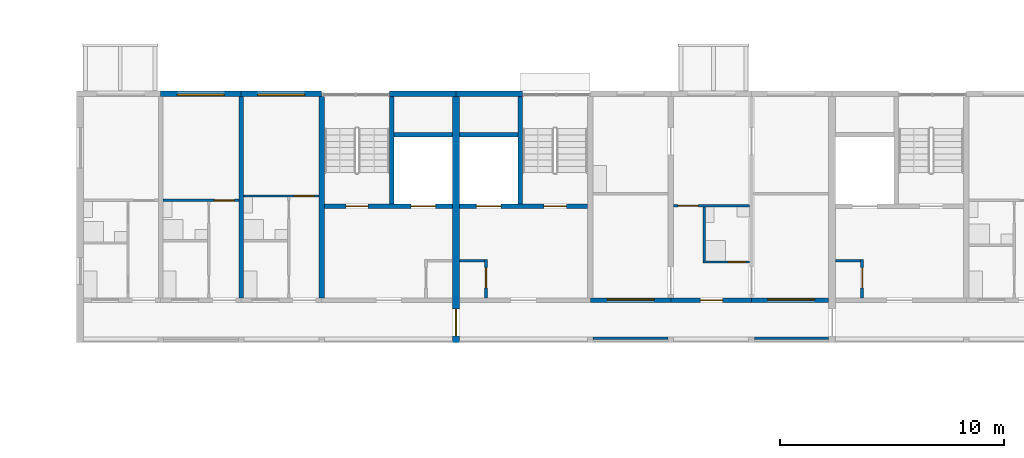
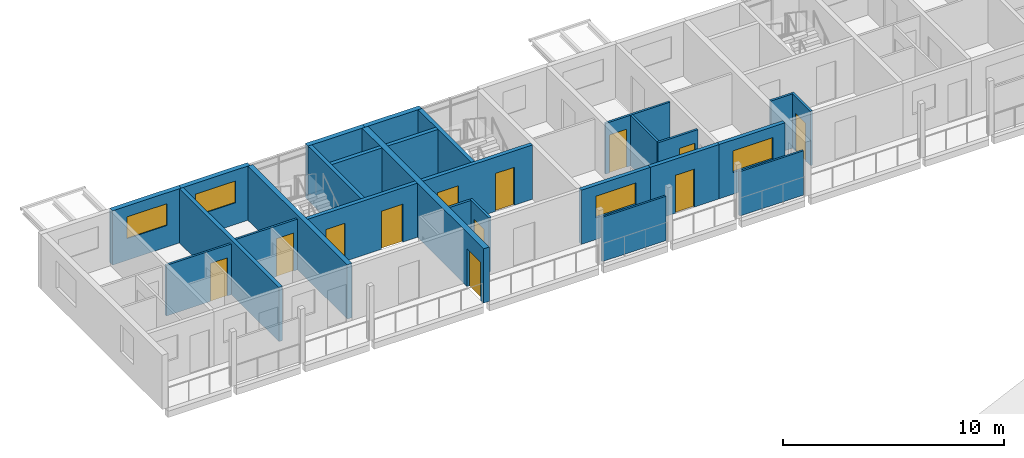
# One storey, part 61 of 122: 27 walls, 12 doors, 4 windows, 16 openings.
"""IFC4 building model written with IfcOpenShell, lengths in metres."""

from ifc_helpers import new_model, si_unit, direction, frame, frame_2d, origin, place, context, subcontext, project, spatial, rectangle, extrude, material, layer, layer_set, type_object, element, fill, save


model = new_model("IFC4")

# Units and contexts
model_context = context("Model", 3, precision=1e-05, world=origin(), true_north=direction((0.0, 1.0)))
body_context = subcontext(model_context, "Body", "Model", "MODEL_VIEW")
ifc_project = project(units=[si_unit("LENGTHUNIT", "METRE"), si_unit("AREAUNIT", "SQUARE_METRE"), si_unit("VOLUMEUNIT", "CUBIC_METRE"), si_unit("PLANEANGLEUNIT", "RADIAN"), si_unit("MASSUNIT", "GRAM", prefix="KILO")], contexts=[model_context])

# Site, building, storey
site_placement = place(None, origin())
site = spatial("IfcSite", under=ifc_project, at=site_placement, CompositionType="ELEMENT")
building_placement = place(site_placement, origin())
building = spatial("IfcBuilding", under=site, at=building_placement, Name="Ridgestep Commons", CompositionType="ELEMENT")
storey_placement = place(building_placement, frame((0.0, 0.0, 3.0)))
storey = spatial("IfcBuildingStorey", under=building, at=storey_placement, Name="L01", CompositionType="ELEMENT", Elevation=3.0)

# Wall
ifc_material_1 = material(Name="Concrete C30/37", Category="concrete")
ifc_layer_1 = layer(ifc_material_1, 0.25)
ifc_layer_set_1 = layer_set([ifc_layer_1], Name="Core cross wall 250")
wall_type_1 = type_object("IfcWallType", Name="Core cross wall 250", PredefinedType="SHEAR", material=ifc_layer_set_1)
wall_1_placement = place(storey_placement, frame((22.800048828125, 68.0, 0.0), z_axis=(0.0, 0.0, 1.0), x_axis=(0.0, 1.0, 0.0)))
element("IfcWall", 1, at=wall_1_placement, inside=storey, type_object=wall_type_1, Name="Cross wall B-01-0228", PredefinedType="SHEAR", context=body_context, shape_type="SweptSolid", body=[
    extrude(rectangle(XDim=9.0, YDim=0.25, at=frame_2d((4.5, 0.0))), origin(), (0.0, 0.0, 1.0), 3.0),
])

# Wall, opening, door
ifc_material_2 = material(Name="Concrete C30/37", Category="concrete")
ifc_layer_2 = layer(ifc_material_2, 0.1201171875)
ifc_layer_set_2 = layer_set([ifc_layer_2], Name="Core wall 120")
wall_type_2 = type_object("IfcWallType", Name="Core wall 120", PredefinedType="SHEAR", material=ifc_layer_set_2)
wall_2_placement = place(storey_placement, frame((30.139892578125, 68.0, 0.0), z_axis=(0.0, 0.0, 1.0), x_axis=(0.0, 1.0, 0.0)))
wall_2 = element("IfcWall", 2, at=wall_2_placement, inside=storey, type_object=wall_type_2, Name="Core riser w wall B2C L01", PredefinedType="SHEAR", context=body_context, shape_type="SweptSolid", body=[
    extrude(rectangle(XDim=1.719970703125, YDim=0.1201171875, at=frame_2d((0.85986328125, 0.0))), origin(), (0.0, 0.0, 1.0), 3.0),
])
opening_1_placement = place(wall_2_placement, frame((0.449951171875, 0.0, 0.0)))
opening_1 = element("IfcOpeningElement", 3, at=opening_1_placement, cuts=wall_2, Name="Opening B2C/01/4", PredefinedType="OPENING", context=body_context, shape_type="SweptSolid", body=[
    extrude(rectangle(XDim=0.89990234375, YDim=2.10009765625, at=frame_2d((0.449951171875, 1.050048828125))), frame((0.0, 0.070068359375, 0.0), z_axis=(0.0, -1.0, 0.0), x_axis=(1.0, 0.0, 0.0)), (0.0, 0.0, 1.0), 0.14013671875),
])
ifc_material_3 = material(Name="Steel fire door", Category="steel")
door_type_1 = type_object("IfcDoorType", Name="Riser door 900 x 2100 FD60", OperationType="NOTDEFINED", PredefinedType="DOOR", material=ifc_material_3)
door_1_placement = place(opening_1_placement, origin())
door_1 = element("IfcDoor", 4, at=door_1_placement, inside=storey, type_object=door_type_1, Name="Riser door B2C/01/4", OperationType="SINGLE_SWING_RIGHT", OverallHeight=2.10009765625, OverallWidth=0.89990234375, PredefinedType="DOOR", context=body_context, shape_type="SweptSolid", body=[
    extrude(rectangle(XDim=0.89990234375, YDim=2.10009765625, at=frame_2d((0.449951171875, 1.050048828125))), frame((0.0, 0.02490234375, 0.0), z_axis=(0.0, -1.0, 0.0), x_axis=(1.0, 0.0, 0.0)), (0.0, 0.0, 1.0), 0.050048828125),
])
fill(opening_1, door_1)

# Wall
wall_3_placement = place(storey_placement, frame((28.949951171875, 69.659912109375, 0.0), z_axis=(0.0, 0.0, 1.0), x_axis=(1.0, 0.0, 0.0)))
element("IfcWall", 5, at=wall_3_placement, inside=storey, type_object=wall_type_2, Name="Core riser n wall B2C L01", PredefinedType="SHEAR", context=body_context, shape_type="SweptSolid", body=[
    extrude(rectangle(XDim=1.130126953125, YDim=0.1201171875, at=frame_2d((0.56494140625, 0.0))), origin(), (0.0, 0.0, 1.0), 3.0),
])

# Wall, opening, door
wall_4_placement = place(storey_placement, frame((46.93994140625, 68.0, 0.0), z_axis=(0.0, 0.0, 1.0), x_axis=(0.0, 1.0, 0.0)))
wall_4 = element("IfcWall", 6, at=wall_4_placement, inside=storey, type_object=wall_type_2, Name="Core riser w wall B3C L01", PredefinedType="SHEAR", context=body_context, shape_type="SweptSolid", body=[
    extrude(rectangle(XDim=1.719970703125, YDim=0.1201171875, at=frame_2d((0.85986328125, 0.0))), origin(), (0.0, 0.0, 1.0), 3.0),
])
opening_2_placement = place(wall_4_placement, frame((0.449951171875, 0.0, 0.0)))
opening_2 = element("IfcOpeningElement", 7, at=opening_2_placement, cuts=wall_4, Name="Opening B3C/01/4", PredefinedType="OPENING", context=body_context, shape_type="SweptSolid", body=[
    extrude(rectangle(XDim=0.89990234375, YDim=2.10009765625, at=frame_2d((0.449951171875, 1.050048828125))), frame((0.0, 0.070068359375, 0.0), z_axis=(0.0, -1.0, 0.0), x_axis=(1.0, 0.0, 0.0)), (0.0, 0.0, 1.0), 0.14013671875),
])
door_2_placement = place(opening_2_placement, origin())
door_2 = element("IfcDoor", 8, at=door_2_placement, inside=storey, type_object=door_type_1, Name="Riser door B3C/01/4", OperationType="SINGLE_SWING_RIGHT", OverallHeight=2.10009765625, OverallWidth=0.89990234375, PredefinedType="DOOR", context=body_context, shape_type="SweptSolid", body=[
    extrude(rectangle(XDim=0.89990234375, YDim=2.10009765625, at=frame_2d((0.449951171875, 1.050048828125))), frame((0.0, 0.02490234375, 0.0), z_axis=(0.0, -1.0, 0.0), x_axis=(1.0, 0.0, 0.0)), (0.0, 0.0, 1.0), 0.050048828125),
])
fill(opening_2, door_2)

# Wall
wall_5_placement = place(storey_placement, frame((45.75, 69.659912109375, 0.0), z_axis=(0.0, 0.0, 1.0), x_axis=(1.0, 0.0, 0.0)))
element("IfcWall", 9, at=wall_5_placement, inside=storey, type_object=wall_type_2, Name="Core riser n wall B3C L01", PredefinedType="SHEAR", context=body_context, shape_type="SweptSolid", body=[
    extrude(rectangle(XDim=1.1298828125, YDim=0.1201171875, at=frame_2d((0.56494140625, 0.0))), origin(), (0.0, 0.0, 1.0), 3.0),
])

# Wall, openings, doors
ifc_material_4 = material(Name="Concrete C30/37", Category="concrete")
ifc_layer_3 = layer(ifc_material_4, 0.199951171875)
ifc_layer_set_3 = layer_set([ifc_layer_3], Name="Core wall 200")
wall_type_3 = type_object("IfcWallType", Name="Core wall 200", PredefinedType="SHEAR", material=ifc_layer_set_3)
wall_6_placement = place(storey_placement, frame((22.925048828125, 72.10009765625, 0.0), z_axis=(0.0, 0.0, 1.0), x_axis=(1.0, 0.0, 0.0)))
wall_6 = element("IfcWall", 10, at=wall_6_placement, inside=storey, type_object=wall_type_3, Name="Core lobby wall B1C L01", PredefinedType="SHEAR", context=body_context, shape_type="SweptSolid", body=[
    extrude(rectangle(XDim=5.724853515625, YDim=0.199951171875, at=frame_2d((2.8623046875, 0.0))), origin(), (0.0, 0.0, 1.0), 3.0),
])
opening_3_placement = place(wall_6_placement, frame((0.949951171875, 0.0, 0.0)))
opening_3 = element("IfcOpeningElement", 11, at=opening_3_placement, cuts=wall_6, Name="Opening B1C/01/2", PredefinedType="OPENING", context=body_context, shape_type="SweptSolid", body=[
    extrude(rectangle(XDim=1.0, YDim=2.10009765625, at=frame_2d((0.5, 1.050048828125))), frame((0.0, 0.10986328125, 0.0), z_axis=(0.0, -1.0, 0.0), x_axis=(1.0, 0.0, 0.0)), (0.0, 0.0, 1.0), 0.219970703125),
])
opening_4_placement = place(wall_6_placement, frame((3.862548828125, 0.0, 0.0)))
opening_4 = element("IfcOpeningElement", 12, at=opening_4_placement, cuts=wall_6, Name="Opening B1C/01/3", PredefinedType="OPENING", context=body_context, shape_type="SweptSolid", body=[
    extrude(rectangle(XDim=1.10009765625, YDim=2.10009765625, at=frame_2d((0.550048828125, 1.050048828125))), frame((0.0, 0.10986328125, 0.0), z_axis=(0.0, -1.0, 0.0), x_axis=(1.0, 0.0, 0.0)), (0.0, 0.0, 1.0), 0.219970703125),
])
ifc_material_5 = material(Name="Stainless steel", Category="steel")
door_type_2 = type_object("IfcDoorType", Name="Lift landing door 1100 x 2100 FD60", OperationType="DOUBLE_DOOR_SLIDING", PredefinedType="DOOR", material=ifc_material_5)
door_3_placement = place(opening_4_placement, origin())
door_3 = element("IfcDoor", 13, at=door_3_placement, inside=storey, type_object=door_type_2, Name="Landing door LD B1C L01", OperationType="DOUBLE_DOOR_SLIDING", OverallHeight=2.10009765625, OverallWidth=1.10009765625, PredefinedType="DOOR", context=body_context, shape_type="SweptSolid", body=[
    extrude(rectangle(XDim=1.10009765625, YDim=2.10009765625, at=frame_2d((0.550048828125, 1.050048828125))), frame((0.0, 0.02490234375, 0.0), z_axis=(0.0, -1.0, 0.0), x_axis=(1.0, 0.0, 0.0)), (0.0, 0.0, 1.0), 0.050048828125),
])
fill(opening_4, door_3)
ifc_material_6 = material(Name="Steel fire door", Category="steel")
door_type_3 = type_object("IfcDoorType", Name="Stair door 1000 x 2100 FD60", OperationType="NOTDEFINED", PredefinedType="DOOR", material=ifc_material_6)
door_4_placement = place(opening_3_placement, origin())
door_4 = element("IfcDoor", 14, at=door_4_placement, inside=storey, type_object=door_type_3, Name="Stair door B1C/01/2", OperationType="SINGLE_SWING_RIGHT", OverallHeight=2.10009765625, OverallWidth=1.0, PredefinedType="DOOR", context=body_context, shape_type="SweptSolid", body=[
    extrude(rectangle(XDim=1.0, YDim=2.10009765625, at=frame_2d((0.5, 1.050048828125))), frame((0.0, 0.02490234375, 0.0), z_axis=(0.0, -1.0, 0.0), x_axis=(1.0, 0.0, 0.0)), (0.0, 0.0, 1.0), 0.050048828125),
])
fill(opening_3, door_4)

# Walls
wall_7_placement = place(storey_placement, frame((25.925048828125, 72.199951171875, 0.0), z_axis=(0.0, 0.0, 1.0), x_axis=(0.0, 1.0, 0.0)))
element("IfcWall", 15, at=wall_7_placement, inside=storey, type_object=wall_type_3, Name="Core stair wall B1C L01", PredefinedType="SHEAR", context=body_context, shape_type="SweptSolid", body=[
    extrude(rectangle(XDim=4.800048828125, YDim=0.199951171875, at=frame_2d((2.39990234375, 0.0))), origin(), (0.0, 0.0, 1.0), 3.0),
])
wall_8_placement = place(storey_placement, frame((26.02490234375, 75.300048828125, 0.0), z_axis=(0.0, 0.0, 1.0), x_axis=(1.0, 0.0, 0.0)))
element("IfcWall", 16, at=wall_8_placement, inside=storey, type_object=wall_type_3, Name="Core duct wall B1C L01", PredefinedType="SHEAR", context=body_context, shape_type="SweptSolid", body=[
    extrude(rectangle(XDim=2.625, YDim=0.199951171875, at=frame_2d((1.3125, 0.0))), origin(), (0.0, 0.0, 1.0), 3.0),
])

# Wall, openings, doors
wall_9_placement = place(storey_placement, frame((28.949951171875, 72.10009765625, 0.0), z_axis=(0.0, 0.0, 1.0), x_axis=(1.0, 0.0, 0.0)))
wall_9 = element("IfcWall", 17, at=wall_9_placement, inside=storey, type_object=wall_type_3, Name="Core lobby wall B2C L01", PredefinedType="SHEAR", context=body_context, shape_type="SweptSolid", body=[
    extrude(rectangle(XDim=5.72509765625, YDim=0.199951171875, at=frame_2d((2.862548828125, 0.0))), origin(), (0.0, 0.0, 1.0), 3.0),
])
opening_5_placement = place(wall_9_placement, frame((3.77490234375, 0.0, 0.0)))
opening_5 = element("IfcOpeningElement", 18, at=opening_5_placement, cuts=wall_9, Name="Opening B2C/01/2", PredefinedType="OPENING", context=body_context, shape_type="SweptSolid", body=[
    extrude(rectangle(XDim=1.0, YDim=2.10009765625, at=frame_2d((0.5, 1.050048828125))), frame((0.0, 0.10986328125, 0.0), z_axis=(0.0, -1.0, 0.0), x_axis=(1.0, 0.0, 0.0)), (0.0, 0.0, 1.0), 0.219970703125),
])
opening_6_placement = place(wall_9_placement, frame((0.762451171875, 0.0, 0.0)))
opening_6 = element("IfcOpeningElement", 19, at=opening_6_placement, cuts=wall_9, Name="Opening B2C/01/3", PredefinedType="OPENING", context=body_context, shape_type="SweptSolid", body=[
    extrude(rectangle(XDim=1.10009765625, YDim=2.10009765625, at=frame_2d((0.550048828125, 1.050048828125))), frame((0.0, 0.10986328125, 0.0), z_axis=(0.0, -1.0, 0.0), x_axis=(1.0, 0.0, 0.0)), (0.0, 0.0, 1.0), 0.219970703125),
])
door_5_placement = place(opening_6_placement, origin())
door_5 = element("IfcDoor", 20, at=door_5_placement, inside=storey, type_object=door_type_2, Name="Landing door LD B2C L01", OperationType="DOUBLE_DOOR_SLIDING", OverallHeight=2.10009765625, OverallWidth=1.10009765625, PredefinedType="DOOR", context=body_context, shape_type="SweptSolid", body=[
    extrude(rectangle(XDim=1.10009765625, YDim=2.10009765625, at=frame_2d((0.550048828125, 1.050048828125))), frame((0.0, 0.02490234375, 0.0), z_axis=(0.0, -1.0, 0.0), x_axis=(1.0, 0.0, 0.0)), (0.0, 0.0, 1.0), 0.050048828125),
])
fill(opening_6, door_5)
door_6_placement = place(opening_5_placement, origin())
door_6 = element("IfcDoor", 21, at=door_6_placement, inside=storey, type_object=door_type_3, Name="Stair door B2C/01/2", OperationType="SINGLE_SWING_RIGHT", OverallHeight=2.10009765625, OverallWidth=1.0, PredefinedType="DOOR", context=body_context, shape_type="SweptSolid", body=[
    extrude(rectangle(XDim=1.0, YDim=2.10009765625, at=frame_2d((0.5, 1.050048828125))), frame((0.0, 0.02490234375, 0.0), z_axis=(0.0, -1.0, 0.0), x_axis=(1.0, 0.0, 0.0)), (0.0, 0.0, 1.0), 0.050048828125),
])
fill(opening_5, door_6)

# Walls
wall_10_placement = place(storey_placement, frame((31.675048828125, 72.199951171875, 0.0), z_axis=(0.0, 0.0, 1.0), x_axis=(0.0, 1.0, 0.0)))
element("IfcWall", 22, at=wall_10_placement, inside=storey, type_object=wall_type_3, Name="Core stair wall B2C L01", PredefinedType="SHEAR", context=body_context, shape_type="SweptSolid", body=[
    extrude(rectangle(XDim=4.800048828125, YDim=0.199951171875, at=frame_2d((2.39990234375, 0.0))), origin(), (0.0, 0.0, 1.0), 3.0),
])
wall_11_placement = place(storey_placement, frame((28.949951171875, 75.300048828125, 0.0), z_axis=(0.0, 0.0, 1.0), x_axis=(1.0, 0.0, 0.0)))
element("IfcWall", 23, at=wall_11_placement, inside=storey, type_object=wall_type_3, Name="Core duct wall B2C L01", PredefinedType="SHEAR", context=body_context, shape_type="SweptSolid", body=[
    extrude(rectangle(XDim=2.625, YDim=0.199951171875, at=frame_2d((1.3125, 0.0))), origin(), (0.0, 0.0, 1.0), 3.0),
])
ifc_material_7 = material(Name="Precast concrete C40/50", Category="concrete")
ifc_layer_4 = layer(ifc_material_7, 0.199951171875)
ifc_layer_set_4 = layer_set([ifc_layer_4], Name="Cross wall 200")
wall_type_4 = type_object("IfcWallType", Name="Cross wall 200", PredefinedType="SHEAR", material=ifc_layer_set_4)
wall_12_placement = place(storey_placement, frame((19.199951171875, 68.0, 0.0), z_axis=(0.0, 0.0, 1.0), x_axis=(0.0, 1.0, 0.0)))
element("IfcWall", 24, at=wall_12_placement, inside=storey, type_object=wall_type_4, Name="Cross wall B-01-0192", PredefinedType="SHEAR", context=body_context, shape_type="SweptSolid", body=[
    extrude(rectangle(XDim=9.0, YDim=0.199951171875, at=frame_2d((4.5, 0.0))), origin(), (0.0, 0.0, 1.0), 3.0),
])

# Wall, opening, door
ifc_material_8 = material(Name="Precast concrete C40/50", Category="concrete")
ifc_layer_5 = layer(ifc_material_8, 0.300048828125)
ifc_layer_set_5 = layer_set([ifc_layer_5], Name="Division wall 300")
wall_type_5 = type_object("IfcWallType", Name="Division wall 300", PredefinedType="SHEAR", material=ifc_layer_set_5)
wall_13_placement = place(storey_placement, frame((28.800048828125, 66.0, 0.0), z_axis=(0.0, 0.0, 1.0), x_axis=(0.0, 1.0, 0.0)))
wall_13 = element("IfcWall", 25, at=wall_13_placement, inside=storey, type_object=wall_type_5, Name="Cross wall B-01-0288", PredefinedType="SHEAR", context=body_context, shape_type="SweptSolid", body=[
    extrude(rectangle(XDim=11.0, YDim=0.300048828125, at=frame_2d((5.5, 0.0))), origin(), (0.0, 0.0, 1.0), 3.0),
])
opening_7_placement = place(wall_13_placement, frame((0.300048828125, 0.0, 0.0)))
opening_7 = element("IfcOpeningElement", 26, at=opening_7_placement, cuts=wall_13, Name="Opening B/01/G0288", PredefinedType="OPENING", context=body_context, shape_type="SweptSolid", body=[
    extrude(rectangle(XDim=1.199951171875, YDim=2.10009765625, at=frame_2d((0.60009765625, 1.050048828125))), frame((0.0, 0.159912109375, 0.0), z_axis=(0.0, -1.0, 0.0), x_axis=(1.0, 0.0, 0.0)), (0.0, 0.0, 1.0), 0.320068359375),
])
ifc_material_9 = material(Name="Steel fire door", Category="steel")
door_type_4 = type_object("IfcDoorType", Name="Division fire door 1200 x 2100 EI 240", OperationType="DOUBLE_DOOR_SINGLE_SWING", PredefinedType="DOOR", material=ifc_material_9)
door_7_placement = place(opening_7_placement, origin())
door_7 = element("IfcDoor", 27, at=door_7_placement, inside=storey, type_object=door_type_4, Name="Division fire door B/01/G0288", OperationType="DOUBLE_DOOR_SINGLE_SWING", OverallHeight=2.10009765625, OverallWidth=1.199951171875, PredefinedType="DOOR", context=body_context, shape_type="SweptSolid", body=[
    extrude(rectangle(XDim=1.199951171875, YDim=2.10009765625, at=frame_2d((0.60009765625, 1.050048828125))), frame((0.0, 0.02490234375, 0.0), z_axis=(0.0, -1.0, 0.0), x_axis=(1.0, 0.0, 0.0)), (0.0, 0.0, 1.0), 0.050048828125),
])
fill(opening_7, door_7)

# Wall, opening, window
ifc_material_10 = material(Name="Precast concrete C40/50", Category="concrete")
ifc_layer_6 = layer(ifc_material_10, 0.25)
ifc_layer_set_6 = layer_set([ifc_layer_6], Name="North facade panel 250")
wall_type_6 = type_object("IfcWallType", Name="North facade panel 250", PredefinedType="SOLIDWALL", material=ifc_layer_set_6)
wall_14_placement = place(storey_placement, frame((15.60009765625, 77.125, 0.0), z_axis=(0.0, 0.0, 1.0), x_axis=(1.0, 0.0, 0.0)))
wall_14 = element("IfcWall", 28, at=wall_14_placement, inside=storey, type_object=wall_type_6, Name="North panel B1T2 L01", PredefinedType="SOLIDWALL", context=body_context, shape_type="SweptSolid", body=[
    extrude(rectangle(XDim=3.599853515625, YDim=0.25, at=frame_2d((1.7998046875, 0.0))), origin(), (0.0, 0.0, 1.0), 3.0),
])
opening_8_placement = place(wall_14_placement, frame((0.75, 0.0, 1.199951171875)))
opening_8 = element("IfcOpeningElement", 29, at=opening_8_placement, cuts=wall_14, Name="Opening W22", PredefinedType="OPENING", context=body_context, shape_type="SweptSolid", body=[
    extrude(rectangle(XDim=2.10009765625, YDim=1.199951171875, at=frame_2d((1.050048828125, 0.60009765625))), frame((0.0, 0.135009765625, 0.0), z_axis=(0.0, -1.0, 0.0), x_axis=(1.0, 0.0, 0.0)), (0.0, 0.0, 1.0), 0.27001953125),
])
ifc_material_11 = material(Name="Aluminium 6063-T6 and glass", Category="aluminium")
window_type = type_object("IfcWindowType", Name="Flat window 2100 x 1200", PartitioningType="DOUBLE_PANEL_VERTICAL", PredefinedType="WINDOW", material=ifc_material_11)
window_1_placement = place(opening_8_placement, origin())
window_1 = element("IfcWindow", 30, at=window_1_placement, inside=storey, type_object=window_type, Name="Window B1-01b 2", OverallHeight=1.199951171875, OverallWidth=2.10009765625, PartitioningType="SINGLE_PANEL", PredefinedType="WINDOW", context=body_context, shape_type="SweptSolid", body=[
    extrude(rectangle(XDim=2.10009765625, YDim=1.199951171875, at=frame_2d((1.050048828125, 0.60009765625))), frame((0.0, -0.02490234375, 0.0), z_axis=(0.0, -1.0, 0.0), x_axis=(1.0, 0.0, 0.0)), (0.0, 0.0, 1.0), 0.06005859375),
])
fill(opening_8, window_1)

wall_15_placement = place(storey_placement, frame((19.199951171875, 77.125, 0.0), z_axis=(0.0, 0.0, 1.0), x_axis=(1.0, 0.0, 0.0)))
wall_15 = element("IfcWall", 31, at=wall_15_placement, inside=storey, type_object=wall_type_6, Name="North panel B1T3 L01", PredefinedType="SOLIDWALL", context=body_context, shape_type="SweptSolid", body=[
    extrude(rectangle(XDim=3.60009765625, YDim=0.25, at=frame_2d((1.800048828125, 0.0))), origin(), (0.0, 0.0, 1.0), 3.0),
])
opening_9_placement = place(wall_15_placement, frame((0.737548828125, 0.0, 1.199951171875)))
opening_9 = element("IfcOpeningElement", 32, at=opening_9_placement, cuts=wall_15, Name="Opening W22", PredefinedType="OPENING", context=body_context, shape_type="SweptSolid", body=[
    extrude(rectangle(XDim=2.10009765625, YDim=1.199951171875, at=frame_2d((1.050048828125, 0.60009765625))), frame((0.0, 0.135009765625, 0.0), z_axis=(0.0, -1.0, 0.0), x_axis=(1.0, 0.0, 0.0)), (0.0, 0.0, 1.0), 0.27001953125),
])
window_2_placement = place(opening_9_placement, origin())
window_2 = element("IfcWindow", 33, at=window_2_placement, inside=storey, type_object=window_type, Name="Window B1-01c 2", OverallHeight=1.199951171875, OverallWidth=2.10009765625, PartitioningType="SINGLE_PANEL", PredefinedType="WINDOW", context=body_context, shape_type="SweptSolid", body=[
    extrude(rectangle(XDim=2.10009765625, YDim=1.199951171875, at=frame_2d((1.050048828125, 0.60009765625))), frame((0.0, -0.02490234375, 0.0), z_axis=(0.0, -1.0, 0.0), x_axis=(1.0, 0.0, 0.0)), (0.0, 0.0, 1.0), 0.06005859375),
])
fill(opening_9, window_2)

# Walls
wall_16_placement = place(storey_placement, frame((25.824951171875, 77.125, 0.0), z_axis=(0.0, 0.0, 1.0), x_axis=(1.0, 0.0, 0.0)))
element("IfcWall", 34, at=wall_16_placement, inside=storey, type_object=wall_type_6, Name="North panel B1C L01", PredefinedType="SOLIDWALL", context=body_context, shape_type="SweptSolid", body=[
    extrude(rectangle(XDim=2.97509765625, YDim=0.25, at=frame_2d((1.487548828125, 0.0))), origin(), (0.0, 0.0, 1.0), 3.0),
])
wall_17_placement = place(storey_placement, frame((28.800048828125, 77.125, 0.0), z_axis=(0.0, 0.0, 1.0), x_axis=(1.0, 0.0, 0.0)))
element("IfcWall", 35, at=wall_17_placement, inside=storey, type_object=wall_type_6, Name="North panel B2C L01", PredefinedType="SOLIDWALL", context=body_context, shape_type="SweptSolid", body=[
    extrude(rectangle(XDim=2.974853515625, YDim=0.25, at=frame_2d((1.4873046875, 0.0))), origin(), (0.0, 0.0, 1.0), 3.0),
])

# Wall, opening, door
ifc_material_12 = material(Name="Common brick 110 mm", Category="masonry")
ifc_layer_7 = layer(ifc_material_12, 0.110107421875)
ifc_layer_set_7 = layer_set([ifc_layer_7], Name="Partition 110")
wall_type_7 = type_object("IfcWallType", Name="Partition 110", PredefinedType="PARTITIONING", material=ifc_layer_set_7)
wall_18_placement = place(storey_placement, frame((15.699951171875, 72.35498046875, 0.0), z_axis=(0.0, 0.0, 1.0), x_axis=(1.0, 0.0, 0.0)))
wall_18 = element("IfcWall", 36, at=wall_18_placement, inside=storey, type_object=wall_type_7, Name="Partition B1-01b", PredefinedType="PARTITIONING", context=body_context, shape_type="SweptSolid", body=[
    extrude(rectangle(XDim=3.400146484375, YDim=0.110107421875, at=frame_2d((1.7001953125, 0.0))), origin(), (0.0, 0.0, 1.0), 2.800048828125),
])
opening_10_placement = place(wall_18_placement, frame((2.300048828125, 0.0, 0.0)))
opening_10 = element("IfcOpeningElement", 37, at=opening_10_placement, cuts=wall_18, Name="Opening B1-01b/4", PredefinedType="OPENING", context=body_context, shape_type="SweptSolid", body=[
    extrude(rectangle(XDim=0.89990234375, YDim=2.10009765625, at=frame_2d((0.449951171875, 1.050048828125))), frame((0.0, 0.06494140625, 0.0), z_axis=(0.0, -1.0, 0.0), x_axis=(1.0, 0.0, 0.0)), (0.0, 0.0, 1.0), 0.130126953125),
])
ifc_material_13 = material(Name="Timber door leaf", Category="wood")
door_type_5 = type_object("IfcDoorType", Name="Internal door 900 x 2100", OperationType="NOTDEFINED", PredefinedType="DOOR", material=ifc_material_13)
door_8_placement = place(opening_10_placement, origin())
door_8 = element("IfcDoor", 38, at=door_8_placement, inside=storey, type_object=door_type_5, Name="Internal door B1-01b/4", OperationType="SINGLE_SWING_LEFT", OverallHeight=2.10009765625, OverallWidth=0.89990234375, PredefinedType="DOOR", context=body_context, shape_type="SweptSolid", body=[
    extrude(rectangle(XDim=0.89990234375, YDim=2.10009765625, at=frame_2d((0.449951171875, 1.050048828125))), frame((0.0, 0.02490234375, 0.0), z_axis=(0.0, -1.0, 0.0), x_axis=(1.0, 0.0, 0.0)), (0.0, 0.0, 1.0), 0.050048828125),
])
fill(opening_10, door_8)

wall_19_placement = place(storey_placement, frame((19.300048828125, 72.554931640625, 0.0), z_axis=(0.0, 0.0, 1.0), x_axis=(1.0, 0.0, 0.0)))
wall_19 = element("IfcWall", 39, at=wall_19_placement, inside=storey, type_object=wall_type_7, Name="Partition B1-01c", PredefinedType="PARTITIONING", context=body_context, shape_type="SweptSolid", body=[
    extrude(rectangle(XDim=3.375, YDim=0.110107421875, at=frame_2d((1.6875, 0.0))), origin(), (0.0, 0.0, 1.0), 2.800048828125),
])
opening_11_placement = place(wall_19_placement, frame((2.27490234375, 0.0, 0.0)))
opening_11 = element("IfcOpeningElement", 40, at=opening_11_placement, cuts=wall_19, Name="Opening B1-01c/4", PredefinedType="OPENING", context=body_context, shape_type="SweptSolid", body=[
    extrude(rectangle(XDim=0.89990234375, YDim=2.10009765625, at=frame_2d((0.449951171875, 1.050048828125))), frame((0.0, 0.06494140625, 0.0), z_axis=(0.0, -1.0, 0.0), x_axis=(1.0, 0.0, 0.0)), (0.0, 0.0, 1.0), 0.130126953125),
])
door_9_placement = place(opening_11_placement, origin())
door_9 = element("IfcDoor", 41, at=door_9_placement, inside=storey, type_object=door_type_5, Name="Internal door B1-01c/4", OperationType="SINGLE_SWING_LEFT", OverallHeight=2.10009765625, OverallWidth=0.89990234375, PredefinedType="DOOR", context=body_context, shape_type="SweptSolid", body=[
    extrude(rectangle(XDim=0.89990234375, YDim=2.10009765625, at=frame_2d((0.449951171875, 1.050048828125))), frame((0.0, 0.02490234375, 0.0), z_axis=(0.0, -1.0, 0.0), x_axis=(1.0, 0.0, 0.0)), (0.0, 0.0, 1.0), 0.050048828125),
])
fill(opening_11, door_9)

wall_20_placement = place(storey_placement, frame((39.824951171875, 69.60498046875, 0.0), z_axis=(0.0, 0.0, 1.0), x_axis=(1.0, 0.0, 0.0)))
wall_20 = element("IfcWall", 42, at=wall_20_placement, inside=storey, type_object=wall_type_7, Name="Partition B2-01a", PredefinedType="PARTITIONING", context=body_context, shape_type="SweptSolid", body=[
    extrude(rectangle(XDim=2.074951171875, YDim=0.110107421875, at=frame_2d((1.03759765625, 0.0))), origin(), (0.0, 0.0, 1.0), 2.800048828125),
])
opening_12_placement = place(wall_20_placement, frame((1.125, 0.0, 0.0)))
opening_12 = element("IfcOpeningElement", 43, at=opening_12_placement, cuts=wall_20, Name="Opening B2-01a/2", PredefinedType="OPENING", context=body_context, shape_type="SweptSolid", body=[
    extrude(rectangle(XDim=0.800048828125, YDim=2.10009765625, at=frame_2d((0.39990234375, 1.050048828125))), frame((0.0, 0.06494140625, 0.0), z_axis=(0.0, -1.0, 0.0), x_axis=(1.0, 0.0, 0.0)), (0.0, 0.0, 1.0), 0.130126953125),
])
ifc_material_14 = material(Name="Timber door leaf", Category="wood")
door_type_6 = type_object("IfcDoorType", Name="Internal door 800 x 2100", OperationType="NOTDEFINED", PredefinedType="DOOR", material=ifc_material_14)
door_10_placement = place(opening_12_placement, origin())
door_10 = element("IfcDoor", 44, at=door_10_placement, inside=storey, type_object=door_type_6, Name="Internal door B2-01a/2", OperationType="SINGLE_SWING_RIGHT", OverallHeight=2.10009765625, OverallWidth=0.800048828125, PredefinedType="DOOR", context=body_context, shape_type="SweptSolid", body=[
    extrude(rectangle(XDim=0.800048828125, YDim=2.10009765625, at=frame_2d((0.39990234375, 1.050048828125))), frame((0.0, 0.02490234375, 0.0), z_axis=(0.0, -1.0, 0.0), x_axis=(1.0, 0.0, 0.0)), (0.0, 0.0, 1.0), 0.050048828125),
])
fill(opening_12, door_10)

# Wall
wall_21_placement = place(storey_placement, frame((39.8798828125, 69.659912109375, 0.0), z_axis=(0.0, 0.0, 1.0), x_axis=(0.0, 1.0, 0.0)))
element("IfcWall", 45, at=wall_21_placement, inside=storey, type_object=wall_type_7, Name="Partition B2-01a", PredefinedType="PARTITIONING", context=body_context, shape_type="SweptSolid", body=[
    extrude(rectangle(XDim=2.400146484375, YDim=0.110107421875, at=frame_2d((1.2001953125, 0.0))), origin(), (0.0, 0.0, 1.0), 2.800048828125),
])

# Wall, opening, door
wall_22_placement = place(storey_placement, frame((38.52490234375, 72.114990234375, 0.0), z_axis=(0.0, 0.0, 1.0), x_axis=(1.0, 0.0, 0.0)))
wall_22 = element("IfcWall", 46, at=wall_22_placement, inside=storey, type_object=wall_type_7, Name="Partition B2-01a", PredefinedType="PARTITIONING", context=body_context, shape_type="SweptSolid", body=[
    extrude(rectangle(XDim=3.375, YDim=0.110107421875, at=frame_2d((1.6875, 0.0))), origin(), (0.0, 0.0, 1.0), 2.800048828125),
])
opening_13_placement = place(wall_22_placement, frame((0.199951171875, 0.0, 0.0)))
opening_13 = element("IfcOpeningElement", 47, at=opening_13_placement, cuts=wall_22, Name="Opening B2-01a/3", PredefinedType="OPENING", context=body_context, shape_type="SweptSolid", body=[
    extrude(rectangle(XDim=0.89990234375, YDim=2.10009765625, at=frame_2d((0.449951171875, 1.050048828125))), frame((0.0, 0.06494140625, 0.0), z_axis=(0.0, -1.0, 0.0), x_axis=(1.0, 0.0, 0.0)), (0.0, 0.0, 1.0), 0.130126953125),
])
door_11_placement = place(opening_13_placement, origin())
door_11 = element("IfcDoor", 48, at=door_11_placement, inside=storey, type_object=door_type_5, Name="Internal door B2-01a/3", OperationType="SINGLE_SWING_LEFT", OverallHeight=2.10009765625, OverallWidth=0.89990234375, PredefinedType="DOOR", context=body_context, shape_type="SweptSolid", body=[
    extrude(rectangle(XDim=0.89990234375, YDim=2.10009765625, at=frame_2d((0.449951171875, 1.050048828125))), frame((0.0, 0.02490234375, 0.0), z_axis=(0.0, -1.0, 0.0), x_axis=(1.0, 0.0, 0.0)), (0.0, 0.0, 1.0), 0.050048828125),
])
fill(opening_13, door_11)

# Walls
ifc_material_15 = material(Name="Precast concrete C30/37", Category="concrete")
ifc_layer_8 = layer(ifc_material_15, 0.10009765625)
ifc_layer_set_8 = layer_set([ifc_layer_8], Name="Perforated gallery screen 3325 x 2450 x 100")
wall_type_8 = type_object("IfcWallType", Name="Perforated gallery screen 3325 x 2450 x 100", PredefinedType="SOLIDWALL", material=ifc_layer_set_8)
wall_23_placement = place(storey_placement, frame((42.125, 66.199951171875, 0.0), z_axis=(0.0, 0.0, 1.0), x_axis=(1.0, 0.0, 0.0)))
element("IfcWall", 49, at=wall_23_placement, inside=storey, type_object=wall_type_8, Name="Gallery screen B2T1 01", PredefinedType="SOLIDWALL", context=body_context, shape_type="SweptSolid", body=[
    extrude(rectangle(XDim=3.324951171875, YDim=0.10009765625, at=frame_2d((1.66259765625, 0.0))), origin(), (0.0, 0.0, 1.0), 2.449951171875),
])
ifc_material_16 = material(Name="Precast concrete C30/37", Category="concrete")
ifc_layer_9 = layer(ifc_material_16, 0.10009765625)
ifc_layer_set_9 = layer_set([ifc_layer_9], Name="Perforated gallery screen 3350 x 2450 x 100")
wall_type_9 = type_object("IfcWallType", Name="Perforated gallery screen 3350 x 2450 x 100", PredefinedType="SOLIDWALL", material=ifc_layer_set_9)
wall_24_placement = place(storey_placement, frame((34.925048828125, 66.199951171875, 0.0), z_axis=(0.0, 0.0, 1.0), x_axis=(1.0, 0.0, 0.0)))
element("IfcWall", 50, at=wall_24_placement, inside=storey, type_object=wall_type_9, Name="Gallery screen B2T3 01", PredefinedType="SOLIDWALL", context=body_context, shape_type="SweptSolid", body=[
    extrude(rectangle(XDim=3.349853515625, YDim=0.10009765625, at=frame_2d((1.6748046875, 0.0))), origin(), (0.0, 0.0, 1.0), 2.449951171875),
])

# Wall, opening, window
ifc_material_17 = material(Name="Precast concrete C40/50", Category="concrete")
ifc_layer_10 = layer(ifc_material_17, 0.199951171875)
ifc_layer_set_10 = layer_set([ifc_layer_10], Name="South facade panel 200")
wall_type_10 = type_object("IfcWallType", Name="South facade panel 200", PredefinedType="SOLIDWALL", material=ifc_layer_set_10)
wall_25_placement = place(storey_placement, frame((34.800048828125, 67.89990234375, 0.0), z_axis=(0.0, 0.0, 1.0), x_axis=(1.0, 0.0, 0.0)))
wall_25 = element("IfcWall", 51, at=wall_25_placement, inside=storey, type_object=wall_type_10, Name="South panel B2T3 L01", PredefinedType="SOLIDWALL", context=body_context, shape_type="SweptSolid", body=[
    extrude(rectangle(XDim=3.599853515625, YDim=0.199951171875, at=frame_2d((1.7998046875, 0.0))), origin(), (0.0, 0.0, 1.0), 3.0),
])
opening_14_placement = place(wall_25_placement, frame((0.75, 0.0, 1.199951171875)))
opening_14 = element("IfcOpeningElement", 52, at=opening_14_placement, cuts=wall_25, Name="Opening W22", PredefinedType="OPENING", context=body_context, shape_type="SweptSolid", body=[
    extrude(rectangle(XDim=2.10009765625, YDim=1.199951171875, at=frame_2d((1.050048828125, 0.60009765625))), frame((0.0, 0.10986328125, 0.0), z_axis=(0.0, -1.0, 0.0), x_axis=(1.0, 0.0, 0.0)), (0.0, 0.0, 1.0), 0.219970703125),
])
window_3_placement = place(opening_14_placement, origin())
window_3 = element("IfcWindow", 53, at=window_3_placement, inside=storey, type_object=window_type, Name="Window B2-01a 1", OverallHeight=1.199951171875, OverallWidth=2.10009765625, PartitioningType="SINGLE_PANEL", PredefinedType="WINDOW", context=body_context, shape_type="SweptSolid", body=[
    extrude(rectangle(XDim=2.10009765625, YDim=1.199951171875, at=frame_2d((1.050048828125, 0.60009765625))), frame((0.0, 0.06005859375, 0.0), z_axis=(0.0, -1.0, 0.0), x_axis=(1.0, 0.0, 0.0)), (0.0, 0.0, 1.0), 0.06005859375),
])
fill(opening_14, window_3)

# Wall, opening, door
wall_26_placement = place(storey_placement, frame((38.39990234375, 67.89990234375, 0.0), z_axis=(0.0, 0.0, 1.0), x_axis=(1.0, 0.0, 0.0)))
wall_26 = element("IfcWall", 54, at=wall_26_placement, inside=storey, type_object=wall_type_10, Name="South panel B2T2 L01", PredefinedType="SOLIDWALL", context=body_context, shape_type="SweptSolid", body=[
    extrude(rectangle(XDim=3.60009765625, YDim=0.199951171875, at=frame_2d((1.800048828125, 0.0))), origin(), (0.0, 0.0, 1.0), 3.0),
])
opening_15_placement = place(wall_26_placement, frame((1.3125, 0.0, 0.0)))
opening_15 = element("IfcOpeningElement", 55, at=opening_15_placement, cuts=wall_26, Name="Opening B2-01a/1", PredefinedType="OPENING", context=body_context, shape_type="SweptSolid", body=[
    extrude(rectangle(XDim=1.0, YDim=2.10009765625, at=frame_2d((0.5, 1.050048828125))), frame((0.0, 0.10986328125, 0.0), z_axis=(0.0, -1.0, 0.0), x_axis=(1.0, 0.0, 0.0)), (0.0, 0.0, 1.0), 0.219970703125),
])
ifc_material_18 = material(Name="Timber door leaf", Category="wood")
door_type_7 = type_object("IfcDoorType", Name="Flat entrance door 1000 x 2100 FD30S", OperationType="NOTDEFINED", PredefinedType="DOOR", material=ifc_material_18)
door_12_placement = place(opening_15_placement, origin())
door_12 = element("IfcDoor", 56, at=door_12_placement, inside=storey, type_object=door_type_7, Name="Flat entrance door B2-01a/1", OperationType="SINGLE_SWING_LEFT", OverallHeight=2.10009765625, OverallWidth=1.0, PredefinedType="DOOR", context=body_context, shape_type="SweptSolid", body=[
    extrude(rectangle(XDim=1.0, YDim=2.10009765625, at=frame_2d((0.5, 1.050048828125))), frame((0.0, 0.02490234375, 0.0), z_axis=(0.0, -1.0, 0.0), x_axis=(1.0, 0.0, 0.0)), (0.0, 0.0, 1.0), 0.050048828125),
])
fill(opening_15, door_12)

# Wall, opening, window
wall_27_placement = place(storey_placement, frame((42.0, 67.89990234375, 0.0), z_axis=(0.0, 0.0, 1.0), x_axis=(1.0, 0.0, 0.0)))
wall_27 = element("IfcWall", 57, at=wall_27_placement, inside=storey, type_object=wall_type_10, Name="South panel B2T1 L01", PredefinedType="SOLIDWALL", context=body_context, shape_type="SweptSolid", body=[
    extrude(rectangle(XDim=3.449951171875, YDim=0.199951171875, at=frame_2d((1.72509765625, 0.0))), origin(), (0.0, 0.0, 1.0), 3.0),
])
opening_16_placement = place(wall_27_placement, frame((0.72509765625, 0.0, 1.199951171875)))
opening_16 = element("IfcOpeningElement", 58, at=opening_16_placement, cuts=wall_27, Name="Opening W22", PredefinedType="OPENING", context=body_context, shape_type="SweptSolid", body=[
    extrude(rectangle(XDim=2.10009765625, YDim=1.199951171875, at=frame_2d((1.050048828125, 0.60009765625))), frame((0.0, 0.10986328125, 0.0), z_axis=(0.0, -1.0, 0.0), x_axis=(1.0, 0.0, 0.0)), (0.0, 0.0, 1.0), 0.219970703125),
])
window_4_placement = place(opening_16_placement, origin())
window_4 = element("IfcWindow", 59, at=window_4_placement, inside=storey, type_object=window_type, Name="Window B2-01a 3", OverallHeight=1.199951171875, OverallWidth=2.10009765625, PartitioningType="SINGLE_PANEL", PredefinedType="WINDOW", context=body_context, shape_type="SweptSolid", body=[
    extrude(rectangle(XDim=2.10009765625, YDim=1.199951171875, at=frame_2d((1.050048828125, 0.60009765625))), frame((0.0, 0.06005859375, 0.0), z_axis=(0.0, -1.0, 0.0), x_axis=(1.0, 0.0, 0.0)), (0.0, 0.0, 1.0), 0.06005859375),
])
fill(opening_16, window_4)

save(model, "model.ifc")
